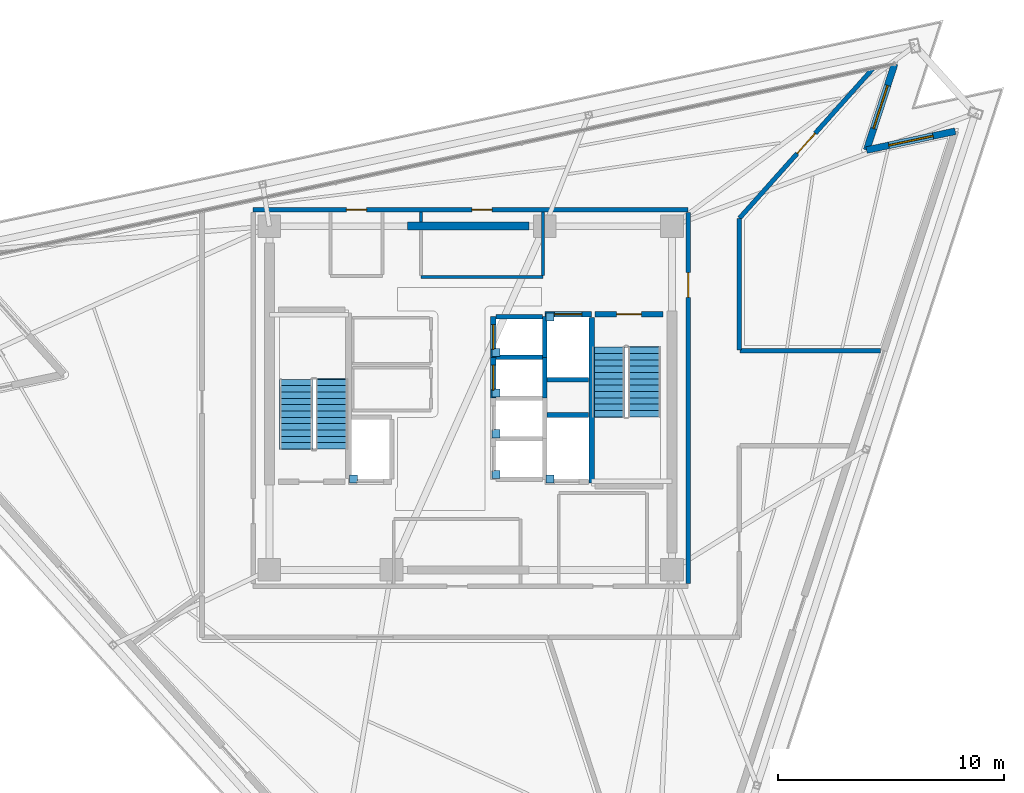
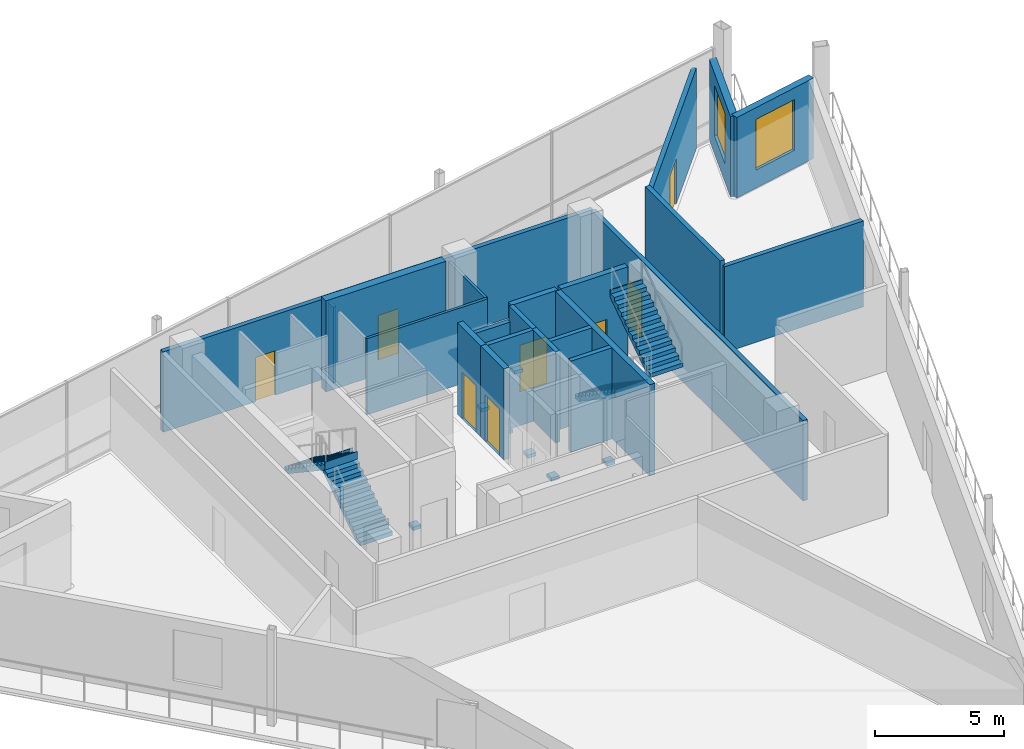
# One storey, part 8 of 11: 22 walls, 8 doors, 7 discrete accessories, 4 stair flights, 2 windows, 10 openings, 2 elements without a shape of their own.
"""IFC4 building model written with IfcOpenShell, lengths in metres."""

from ifc_helpers import new_model, si_unit, direction, frame, frame_2d, origin, origin_2d, place, context, subcontext, project, spatial, polyline, rectangle, outline, extrude, material, layer, layer_set, type_object, element, fill, aggregate, save


model = new_model("IFC4")

# Units and contexts
model_context = context("Model", 3, precision=1e-05, world=origin(), true_north=direction((0.0, 1.0)))
body_context = subcontext(model_context, "Body", "Model", "MODEL_VIEW")
ifc_project = project(units=[si_unit("LENGTHUNIT", "METRE"), si_unit("AREAUNIT", "SQUARE_METRE"), si_unit("VOLUMEUNIT", "CUBIC_METRE"), si_unit("PLANEANGLEUNIT", "RADIAN"), si_unit("MASSUNIT", "GRAM", prefix="KILO")], contexts=[model_context])

# Site, building, storey
site_placement = place(None, origin())
site = spatial("IfcSite", under=ifc_project, at=site_placement, CompositionType="ELEMENT")
building_placement = place(site_placement, origin())
building = spatial("IfcBuilding", under=site, at=building_placement, Name="Tharavind Bronze Gate", CompositionType="ELEMENT")
storey_placement = place(building_placement, frame((0.0, 0.0, 306.300048828125)))
storey = spatial("IfcBuildingStorey", under=building, at=storey_placement, Name="L79", CompositionType="ELEMENT", Elevation=306.300048828125)

# Wall, opening, window
ifc_material_1 = material(Name="Concrete C40/50", Category="concrete")
ifc_layer_1 = layer(ifc_material_1, 0.300048828125)
ifc_layer_set_1 = layer_set([ifc_layer_1], Name="Concrete C40/50")
wall_type_1 = type_object("IfcWallType", Name="EXTERIOR SPANDREL WALL 300", PredefinedType="STANDARD", material=ifc_layer_set_1)
wall_1_placement = place(storey_placement, frame((21.427490234375, 11.796630859375, 0.0), z_axis=(0.0, 0.0, 1.0), x_axis=(-0.97815049033, -0.207898095871, 0.0)))
wall_1 = element("IfcWall", 1, at=wall_1_placement, inside=storey, type_object=wall_type_1, Name="L79 notch cheek wall 3A", PredefinedType="STANDARD", context=body_context, shape_type="SweptSolid", body=[
    extrude(rectangle(XDim=4.008056640625, YDim=0.300048828125, at=frame_2d((2.00390625, 0.0))), origin(), (0.0, 0.0, 1.0), 3.804931640625),
])
opening_1_placement = place(wall_1_placement, frame((1.00390625, 0.0, 0.85009765625)))
opening_1 = element("IfcOpeningElement", 2, at=opening_1_placement, cuts=wall_1, Name="Opening W06", PredefinedType="OPENING", context=body_context, shape_type="SweptSolid", body=[
    extrude(rectangle(XDim=2.0, YDim=2.39990234375, at=frame_2d((1.0, 1.199951171875))), frame((0.0, 0.15990234375, 0.0), z_axis=(0.0, -1.0, 0.0), x_axis=(1.0, 0.0, 0.0)), (0.0, 0.0, 1.0), 0.320048828125),
])
ifc_material_2 = material(Name="Bronze Aluminium & Low-E Glass", Category="aluminium")
window_type = type_object("IfcWindowType", Name="CROWN OBSERVATORY WINDOW 2000X2400", PartitioningType="DOUBLE_PANEL_VERTICAL", PredefinedType="WINDOW", material=ifc_material_2)
window_1_placement = place(opening_1_placement, origin())
window_1 = element("IfcWindow", 3, at=window_1_placement, inside=storey, type_object=window_type, Name="L79 exterior window WL-L79-NCA3-01", OverallHeight=2.39990234375, OverallWidth=2.0, PartitioningType="SINGLE_PANEL", PredefinedType="WINDOW", context=body_context, shape_type="SweptSolid", body=[
    extrude(rectangle(XDim=2.0, YDim=2.39990234375, at=frame_2d((1.0, 1.199951171875))), frame((0.0, 0.030029296875, 0.0), z_axis=(0.0, -1.0, 0.0), x_axis=(1.0, 0.0, 0.0)), (0.0, 0.0, 1.0), 0.06005859375),
])
fill(opening_1, window_1)

wall_2_placement = place(storey_placement, frame((17.507080078125, 10.96337890625, 0.0), z_axis=(0.0, 0.0, 1.0), x_axis=(0.309018580232, 0.951056001018, 0.0)))
wall_2 = element("IfcWall", 4, at=wall_2_placement, inside=storey, type_object=wall_type_1, Name="L79 notch cheek wall 3B", PredefinedType="STANDARD", context=body_context, shape_type="SweptSolid", body=[
    extrude(rectangle(XDim=4.0078125, YDim=0.300048828125, at=frame_2d((2.00390625, 0.0))), origin(), (0.0, 0.0, 1.0), 3.804931640625),
])
opening_2_placement = place(wall_2_placement, frame((1.00390625, 0.0, 0.85009765625)))
opening_2 = element("IfcOpeningElement", 5, at=opening_2_placement, cuts=wall_2, Name="Opening W06", PredefinedType="OPENING", context=body_context, shape_type="SweptSolid", body=[
    extrude(rectangle(XDim=2.0, YDim=2.39990234375, at=frame_2d((1.0, 1.199951171875))), frame((0.0, 0.15990234375, 0.0), z_axis=(0.0, -1.0, 0.0), x_axis=(1.0, 0.0, 0.0)), (0.0, 0.0, 1.0), 0.320048828125),
])
window_2_placement = place(opening_2_placement, origin())
window_2 = element("IfcWindow", 6, at=window_2_placement, inside=storey, type_object=window_type, Name="L79 exterior window WL-L79-NCB3-01", OverallHeight=2.39990234375, OverallWidth=2.0, PartitioningType="SINGLE_PANEL", PredefinedType="WINDOW", context=body_context, shape_type="SweptSolid", body=[
    extrude(rectangle(XDim=2.0, YDim=2.39990234375, at=frame_2d((1.0, 1.199951171875))), frame((0.0, 0.030029296875, 0.0), z_axis=(0.0, -1.0, 0.0), x_axis=(1.0, 0.0, 0.0)), (0.0, 0.0, 1.0), 0.06005859375),
])
fill(opening_2, window_2)

# Wall, openings, doors
ifc_material_3 = material(Name="Aerated Concrete Block", Category="concrete")
ifc_layer_2 = layer(ifc_material_3, 0.199951171875)
ifc_layer_set_2 = layer_set([ifc_layer_2], Name="Aerated Concrete Block")
wall_type_2 = type_object("IfcWallType", Name="FIRE RATED PARTITION 200", PredefinedType="PARTITIONING", material=ifc_layer_set_2)
wall_3_placement = place(storey_placement, frame((9.6201171875, 8.320068359375, 0.0), z_axis=(0.0, 0.0, 1.0), x_axis=(-1.0, 0.0, 0.0)))
wall_3 = element("IfcWall", 7, at=wall_3_placement, inside=storey, type_object=wall_type_2, Name="L79 north core corridor wall", PredefinedType="PARTITIONING", context=body_context, shape_type="SweptSolid", body=[
    extrude(rectangle(XDim=19.240234375, YDim=0.199951171875, at=frame_2d((9.6201171875, 0.0))), origin(), (0.0, 0.0, 1.0), 3.804931640625),
])
opening_3_placement = place(wall_3_placement, frame((8.669921875, 0.0, 0.0)))
opening_3 = element("IfcOpeningElement", 8, at=opening_3_placement, cuts=wall_3, Name="Opening ID07", PredefinedType="OPENING", context=body_context, shape_type="SweptSolid", body=[
    extrude(rectangle(XDim=0.89990234375, YDim=2.10009765625, at=frame_2d((0.449951171875, 1.050048828125))), frame((0.0, 0.11009765625, 0.0), z_axis=(0.0, -1.0, 0.0), x_axis=(1.0, 0.0, 0.0)), (0.0, 0.0, 1.0), 0.219951171875),
])
opening_4_placement = place(wall_3_placement, frame((14.219970703125, 0.0, 0.0)))
opening_4 = element("IfcOpeningElement", 9, at=opening_4_placement, cuts=wall_3, Name="Opening ID07", PredefinedType="OPENING", context=body_context, shape_type="SweptSolid", body=[
    extrude(rectangle(XDim=0.89990234375, YDim=2.10009765625, at=frame_2d((0.449951171875, 1.050048828125))), frame((0.0, 0.11009765625, 0.0), z_axis=(0.0, -1.0, 0.0), x_axis=(1.0, 0.0, 0.0)), (0.0, 0.0, 1.0), 0.219951171875),
])
ifc_material_4 = material(Name="Galvanised Fire Steel", Category="steel")
door_type_1 = type_object("IfcDoorType", Name="PLANT AND RISER FIRE DOOR 900X2100", OperationType="SINGLE_SWING_LEFT", PredefinedType="DOOR", material=ifc_material_4)
door_1_placement = place(opening_3_placement, origin())
door_1 = element("IfcDoor", 10, at=door_1_placement, inside=storey, type_object=door_type_1, Name="L79 Core Avionics Room fire door", OperationType="SINGLE_SWING_LEFT", OverallHeight=2.10009765625, OverallWidth=0.89990234375, PredefinedType="DOOR", context=body_context, shape_type="SweptSolid", body=[
    extrude(rectangle(XDim=0.89990234375, YDim=2.10009765625, at=frame_2d((0.449951171875, 1.050048828125))), frame((0.0, 0.02490234375, 0.0), z_axis=(0.0, -1.0, 0.0), x_axis=(1.0, 0.0, 0.0)), (0.0, 0.0, 1.0), 0.050048828125),
])
fill(opening_3, door_1)
door_2_placement = place(opening_4_placement, origin())
door_2 = element("IfcDoor", 11, at=door_2_placement, inside=storey, type_object=door_type_1, Name="L79 Electrical Switch Cupboard fire door", OperationType="SINGLE_SWING_LEFT", OverallHeight=2.10009765625, OverallWidth=0.89990234375, PredefinedType="DOOR", context=body_context, shape_type="SweptSolid", body=[
    extrude(rectangle(XDim=0.89990234375, YDim=2.10009765625, at=frame_2d((0.449951171875, 1.050048828125))), frame((0.0, 0.02490234375, 0.0), z_axis=(0.0, -1.0, 0.0), x_axis=(1.0, 0.0, 0.0)), (0.0, 0.0, 1.0), 0.050048828125),
])
fill(opening_4, door_2)

# Wall, opening, door
wall_4_placement = place(storey_placement, frame((9.6201171875, -8.199951171875, 0.0), z_axis=(0.0, 0.0, 1.0), x_axis=(0.0, 1.0, 0.0)))
wall_4 = element("IfcWall", 12, at=wall_4_placement, inside=storey, type_object=wall_type_2, Name="L79 east core corridor wall", PredefinedType="PARTITIONING", context=body_context, shape_type="SweptSolid", body=[
    extrude(rectangle(XDim=16.39990234375, YDim=0.199951171875, at=frame_2d((8.199951171875, 0.0))), origin(), (0.0, 0.0, 1.0), 3.804931640625),
])
opening_5_placement = place(wall_4_placement, frame((12.64990234375, 0.0, 0.0)))
opening_5 = element("IfcOpeningElement", 13, at=opening_5_placement, cuts=wall_4, Name="Opening ID01", PredefinedType="OPENING", context=body_context, shape_type="SweptSolid", body=[
    extrude(rectangle(XDim=1.10009765625, YDim=2.14990234375, at=frame_2d((0.550048828125, 1.074951171875))), frame((0.0, 0.11009765625, 0.0), z_axis=(0.0, -1.0, 0.0), x_axis=(1.0, 0.0, 0.0)), (0.0, 0.0, 1.0), 0.219951171875),
])
ifc_material_5 = material(Name="Fire-Rated Steel", Category="steel")
door_type_2 = type_object("IfcDoorType", Name="STAIR CORE FIRE DOOR 1100X2150", OperationType="SINGLE_SWING_LEFT", PredefinedType="DOOR", material=ifc_material_5)
door_3_placement = place(opening_5_placement, frame((1.10009765625, 0.0, 0.0), z_axis=(0.0, 0.0, 1.0), x_axis=(-1.0, 0.0, 0.0)))
door_3 = element("IfcDoor", 14, at=door_3_placement, inside=storey, type_object=door_type_2, Name="L79 north east stair lobby fire door", OperationType="SINGLE_SWING_LEFT", OverallHeight=2.14990234375, OverallWidth=1.10009765625, PredefinedType="DOOR", context=body_context, shape_type="SweptSolid", body=[
    extrude(rectangle(XDim=1.10009765625, YDim=2.14990234375, at=frame_2d((0.550048828125, 1.074951171875))), frame((0.0, 0.02490234375, 0.0), z_axis=(0.0, -1.0, 0.0), x_axis=(1.0, 0.0, 0.0)), (0.0, 0.0, 1.0), 0.050048828125),
])
fill(opening_5, door_3)

# Walls
wall_5_placement = place(storey_placement, frame((18.11376953125, 2.10009765625, 0.0), z_axis=(0.0, 0.0, 1.0), x_axis=(-1.0, 0.0, 0.0)))
element("IfcWall", 15, at=wall_5_placement, inside=storey, type_object=wall_type_2, Name="L79 Indoor Panoramas Observatory partition", PredefinedType="PARTITIONING", context=body_context, shape_type="SweptSolid", body=[
    extrude(rectangle(XDim=6.208740234375, YDim=0.199951171875, at=frame_2d((3.1044921875, 0.0))), origin(), (0.0, 0.0, 1.0), 4.06494140625),
])
wall_6_placement = place(storey_placement, frame((11.8798828125, 2.125, 0.0), z_axis=(0.0, 0.0, 1.0), x_axis=(0.0, 1.0, 0.0)))
element("IfcWall", 16, at=wall_6_placement, inside=storey, type_object=wall_type_2, Name="L79 Indoor Panoramas Observatory partition", PredefinedType="PARTITIONING", context=body_context, shape_type="SweptSolid", body=[
    extrude(rectangle(XDim=5.811279296875, YDim=0.199951171875, at=frame_2d((2.90576171875, 0.0))), origin(), (0.0, 0.0, 1.0), 4.31005859375),
])

# Wall, opening, door
wall_7_placement = place(storey_placement, frame((11.88623046875, 7.952880859375, 0.0), z_axis=(0.0, 0.0, 1.0), x_axis=(0.66569355976, 0.746225223706, 0.0)))
wall_7 = element("IfcWall", 17, at=wall_7_placement, inside=storey, type_object=wall_type_2, Name="L79 Indoor Panoramas Observatory partition", PredefinedType="PARTITIONING", context=body_context, shape_type="SweptSolid", body=[
    extrude(rectangle(XDim=8.87060546875, YDim=0.199951171875, at=frame_2d((4.435302734375, 0.0))), origin(), (0.0, 0.0, 1.0), 3.804931640625),
])
opening_6_placement = place(wall_7_placement, frame((3.8349609375, 0.0, 0.0)))
opening_6 = element("IfcOpeningElement", 18, at=opening_6_placement, cuts=wall_7, Name="Opening ID05", PredefinedType="OPENING", context=body_context, shape_type="SweptSolid", body=[
    extrude(rectangle(XDim=1.199951171875, YDim=2.14990234375, at=frame_2d((0.60009765625, 1.074951171875))), frame((0.0, 0.11009765625, 0.0), z_axis=(0.0, -1.0, 0.0), x_axis=(1.0, 0.0, 0.0)), (0.0, 0.0, 1.0), 0.219951171875),
])
ifc_material_6 = material(Name="Acoustic Laminated Glass", Category="glass")
door_type_3 = type_object("IfcDoorType", Name="MEETING ROOM GLAZED DOOR 1200X2150", OperationType="SINGLE_SWING_LEFT", PredefinedType="DOOR", material=ifc_material_6)
door_4_placement = place(opening_6_placement, origin())
door_4 = element("IfcDoor", 19, at=door_4_placement, inside=storey, type_object=door_type_3, Name="L79 Indoor Panoramas Observatory door", OperationType="SINGLE_SWING_LEFT", OverallHeight=2.14990234375, OverallWidth=1.199951171875, PredefinedType="DOOR", context=body_context, shape_type="SweptSolid", body=[
    extrude(rectangle(XDim=1.199951171875, YDim=2.14990234375, at=frame_2d((0.60009765625, 1.074951171875))), frame((0.0, 0.02490234375, 0.0), z_axis=(0.0, -1.0, 0.0), x_axis=(1.0, 0.0, 0.0)), (0.0, 0.0, 1.0), 0.050048828125),
])
fill(opening_6, door_4)

# Walls
ifc_material_7 = material(Name="Metal Stud Gypsum Partition", Category="gypsum")
ifc_layer_3 = layer(ifc_material_7, 0.1201171875)
ifc_layer_set_3 = layer_set([ifc_layer_3], Name="Metal Stud Gypsum Partition")
wall_type_3 = type_object("IfcWallType", Name="INTERIOR PARTITION WALL 120", PredefinedType="PARTITIONING", material=ifc_layer_set_3)
wall_8_placement = place(storey_placement, frame((-2.199951171875, 5.35009765625, 0.0), z_axis=(0.0, 0.0, 1.0), x_axis=(1.0, 0.0, 0.0)))
element("IfcWall", 20, at=wall_8_placement, inside=storey, type_object=wall_type_3, Name="L79 Core Avionics Room partition 1", PredefinedType="PARTITIONING", context=body_context, shape_type="SweptSolid", body=[
    extrude(rectangle(XDim=5.39990234375, YDim=0.1201171875, at=frame_2d((2.699951171875, 0.0))), origin(), (0.0, 0.0, 1.0), 3.60498046875),
])
wall_9_placement = place(storey_placement, frame((3.199951171875, 5.4150390625, 0.0), z_axis=(0.0, 0.0, 1.0), x_axis=(0.0, 1.0, 0.0)))
element("IfcWall", 21, at=wall_9_placement, inside=storey, type_object=wall_type_3, Name="L79 Core Avionics Room partition 2", PredefinedType="PARTITIONING", context=body_context, shape_type="SweptSolid", body=[
    extrude(rectangle(XDim=2.800048828125, YDim=0.1201171875, at=frame_2d((1.39990234375, 0.0))), origin(), (0.0, 0.0, 1.0), 3.60498046875),
])
wall_10_placement = place(storey_placement, frame((-2.199951171875, 8.215087890625, 0.0), z_axis=(0.0, 0.0, 1.0), x_axis=(0.0, -1.0, 0.0)))
element("IfcWall", 22, at=wall_10_placement, inside=storey, type_object=wall_type_3, Name="L79 Core Avionics Room partition 4", PredefinedType="PARTITIONING", context=body_context, shape_type="SweptSolid", body=[
    extrude(rectangle(XDim=0.43505859375, YDim=0.1201171875, at=frame_2d((0.217529296875, 0.0))), origin(), (0.0, 0.0, 1.0), 3.60498046875),
])
ifc_material_8 = material(Name="Concrete C50/60", Category="concrete")
ifc_layer_4 = layer(ifc_material_8, 0.25)
ifc_layer_set_4 = layer_set([ifc_layer_4], Name="Concrete C50/60")
wall_type_4 = type_object("IfcWallType", Name="RC CORE SHEAR WALL 250", PredefinedType="SHEAR", material=ifc_layer_set_4)
wall_11_placement = place(storey_placement, frame((5.35009765625, -3.75, 0.0), z_axis=(0.0, 0.0, 1.0), x_axis=(0.0, 1.0, 0.0)))
element("IfcWall", 23, at=wall_11_placement, inside=storey, type_object=wall_type_4, Name="L79 ST2 shaft west wall", PredefinedType="SHEAR", context=body_context, shape_type="SweptSolid", body=[
    extrude(rectangle(XDim=7.300048828125, YDim=0.25, at=frame_2d((3.64990234375, 0.0))), origin(), (0.0, 0.0, 1.0), 4.31005859375),
])

# Wall, opening, door
wall_12_placement = place(storey_placement, frame((5.5, 3.699951171875, 0.0), z_axis=(0.0, 0.0, 1.0), x_axis=(1.0, 0.0, 0.0)))
wall_12 = element("IfcWall", 24, at=wall_12_placement, inside=storey, type_object=wall_type_4, Name="L79 ST2 shaft north wall", PredefinedType="SHEAR", context=body_context, shape_type="SweptSolid", body=[
    extrude(rectangle(XDim=3.0, YDim=0.25, at=frame_2d((1.5, 0.0))), origin(), (0.0, 0.0, 1.0), 4.31005859375),
])
opening_7_placement = place(wall_12_placement, frame((0.949951171875, 0.0, 0.0)))
opening_7 = element("IfcOpeningElement", 25, at=opening_7_placement, cuts=wall_12, Name="Opening ID01", PredefinedType="OPENING", context=body_context, shape_type="SweptSolid", body=[
    extrude(rectangle(XDim=1.10009765625, YDim=2.14990234375, at=frame_2d((0.550048828125, 1.074951171875))), frame((0.0, 0.135, 0.0), z_axis=(0.0, -1.0, 0.0), x_axis=(1.0, 0.0, 0.0)), (0.0, 0.0, 1.0), 0.27),
])
door_5_placement = place(opening_7_placement, frame((1.10009765625, 0.0, 0.0), z_axis=(0.0, 0.0, 1.0), x_axis=(-1.0, 0.0, 0.0)))
door_5 = element("IfcDoor", 26, at=door_5_placement, inside=storey, type_object=door_type_2, Name="L79 exit stair ST2 fire door", OperationType="SINGLE_SWING_LEFT", OverallHeight=2.14990234375, OverallWidth=1.10009765625, PredefinedType="DOOR", context=body_context, shape_type="SweptSolid", body=[
    extrude(rectangle(XDim=1.10009765625, YDim=2.14990234375, at=frame_2d((0.550048828125, 1.074951171875))), frame((0.0, 0.02490234375, 0.0), z_axis=(0.0, -1.0, 0.0), x_axis=(1.0, 0.0, 0.0)), (0.0, 0.0, 1.0), 0.050048828125),
])
fill(opening_7, door_5)

wall_13_placement = place(storey_placement, frame((1.0, 0.0, 0.0), z_axis=(0.0, 0.0, 1.0), x_axis=(0.0, 1.0, 0.0)))
wall_13 = element("IfcWall", 27, at=wall_13_placement, inside=storey, type_object=wall_type_4, Name="L79 lift PL11 shaft front wall", PredefinedType="SHEAR", context=body_context, shape_type="SweptSolid", body=[
    extrude(rectangle(XDim=1.800048828125, YDim=0.25, at=frame_2d((0.89990234375, 0.0))), origin(), (0.0, 0.0, 1.0), 4.31005859375),
])
opening_8_placement = place(wall_13_placement, frame((0.35009765625, 0.0, 0.0)))
opening_8 = element("IfcOpeningElement", 28, at=opening_8_placement, cuts=wall_13, Name="Opening LD01", PredefinedType="OPENING", context=body_context, shape_type="SweptSolid", body=[
    extrude(rectangle(XDim=1.10009765625, YDim=2.199951171875, at=frame_2d((0.550048828125, 1.10009765625))), frame((0.0, 0.135, 0.0), z_axis=(0.0, -1.0, 0.0), x_axis=(1.0, 0.0, 0.0)), (0.0, 0.0, 1.0), 0.27),
])
ifc_material_9 = material(Name="Brushed Bronze Stainless Steel", Category="steel")
door_type_4 = type_object("IfcDoorType", Name="LIFT LANDING SLIDING DOOR 1100X2200", OperationType="SLIDING_TO_LEFT", PredefinedType="DOOR", material=ifc_material_9)
door_6_placement = place(opening_8_placement, origin())
door_6 = element("IfcDoor", 29, at=door_6_placement, inside=storey, type_object=door_type_4, Name="L79 lift PL11 sliding landing door", OperationType="SLIDING_TO_LEFT", OverallHeight=2.199951171875, OverallWidth=1.10009765625, PredefinedType="DOOR", context=body_context, shape_type="SweptSolid", body=[
    extrude(rectangle(XDim=1.10009765625, YDim=2.199951171875, at=frame_2d((0.550048828125, 1.10009765625))), frame((0.0, 0.02490234375, 0.0), z_axis=(0.0, -1.0, 0.0), x_axis=(1.0, 0.0, 0.0)), (0.0, 0.0, 1.0), 0.050048828125),
])
fill(opening_8, door_6)

wall_14_placement = place(storey_placement, frame((1.0, 1.800048828125, 0.0), z_axis=(0.0, 0.0, 1.0), x_axis=(0.0, 1.0, 0.0)))
wall_14 = element("IfcWall", 30, at=wall_14_placement, inside=storey, type_object=wall_type_4, Name="L79 lift PL12 shaft front wall", PredefinedType="SHEAR", context=body_context, shape_type="SweptSolid", body=[
    extrude(rectangle(XDim=1.800048828125, YDim=0.25, at=frame_2d((0.89990234375, 0.0))), origin(), (0.0, 0.0, 1.0), 4.31005859375),
])
opening_9_placement = place(wall_14_placement, frame((0.35009765625, 0.0, 0.0)))
opening_9 = element("IfcOpeningElement", 31, at=opening_9_placement, cuts=wall_14, Name="Opening LD01", PredefinedType="OPENING", context=body_context, shape_type="SweptSolid", body=[
    extrude(rectangle(XDim=1.10009765625, YDim=2.199951171875, at=frame_2d((0.550048828125, 1.10009765625))), frame((0.0, 0.135, 0.0), z_axis=(0.0, -1.0, 0.0), x_axis=(1.0, 0.0, 0.0)), (0.0, 0.0, 1.0), 0.27),
])
door_7_placement = place(opening_9_placement, origin())
door_7 = element("IfcDoor", 32, at=door_7_placement, inside=storey, type_object=door_type_4, Name="L79 lift PL12 sliding landing door", OperationType="SLIDING_TO_LEFT", OverallHeight=2.199951171875, OverallWidth=1.10009765625, PredefinedType="DOOR", context=body_context, shape_type="SweptSolid", body=[
    extrude(rectangle(XDim=1.10009765625, YDim=2.199951171875, at=frame_2d((0.550048828125, 1.10009765625))), frame((0.0, 0.02490234375, 0.0), z_axis=(0.0, -1.0, 0.0), x_axis=(1.0, 0.0, 0.0)), (0.0, 0.0, 1.0), 0.050048828125),
])
fill(opening_9, door_7)

wall_15_placement = place(storey_placement, frame((3.280029296875, 3.699951171875, 0.0), z_axis=(0.0, 0.0, 1.0), x_axis=(1.0, 0.0, 0.0)))
wall_15 = element("IfcWall", 33, at=wall_15_placement, inside=storey, type_object=wall_type_4, Name="L79 lift FFL2 shaft front wall", PredefinedType="SHEAR", context=body_context, shape_type="SweptSolid", body=[
    extrude(rectangle(XDim=2.070068359375, YDim=0.25, at=frame_2d((1.03515625, 0.0))), origin(), (0.0, 0.0, 1.0), 4.31005859375),
])
opening_10_placement = place(wall_15_placement, frame((0.43505859375, 0.0, 0.0)))
opening_10 = element("IfcOpeningElement", 34, at=opening_10_placement, cuts=wall_15, Name="Opening LD02", PredefinedType="OPENING", context=body_context, shape_type="SweptSolid", body=[
    extrude(rectangle(XDim=1.199951171875, YDim=2.199951171875, at=frame_2d((0.60009765625, 1.10009765625))), frame((0.0, 0.135, 0.0), z_axis=(0.0, -1.0, 0.0), x_axis=(1.0, 0.0, 0.0)), (0.0, 0.0, 1.0), 0.27),
])
ifc_material_10 = material(Name="Brushed Stainless Steel", Category="steel")
door_type_5 = type_object("IfcDoorType", Name="FIREFIGHTING LIFT LANDING DOOR 1200X2200", OperationType="SLIDING_TO_RIGHT", PredefinedType="DOOR", material=ifc_material_10)
door_8_placement = place(opening_10_placement, origin())
door_8 = element("IfcDoor", 35, at=door_8_placement, inside=storey, type_object=door_type_5, Name="L79 lift FFL2 sliding landing door", OperationType="SLIDING_TO_RIGHT", OverallHeight=2.199951171875, OverallWidth=1.199951171875, PredefinedType="DOOR", context=body_context, shape_type="SweptSolid", body=[
    extrude(rectangle(XDim=1.199951171875, YDim=2.199951171875, at=frame_2d((0.60009765625, 1.10009765625))), frame((0.0, 0.02490234375, 0.0), z_axis=(0.0, -1.0, 0.0), x_axis=(1.0, 0.0, 0.0)), (0.0, 0.0, 1.0), 0.050048828125),
])
fill(opening_10, door_8)

# Walls
ifc_layer_5 = layer(ifc_material_8, 0.35009765625)
ifc_layer_set_5 = layer_set([ifc_layer_5], Name="Concrete C50/60")
wall_type_5 = type_object("IfcWallType", Name="RC CORE SHEAR WALL 350", PredefinedType="SHEAR", material=ifc_layer_set_5)
wall_16_placement = place(storey_placement, frame((-2.800048828125, 7.60009765625, 0.0), z_axis=(0.0, 0.0, 1.0), x_axis=(1.0, 0.0, 0.0)))
element("IfcWall", 36, at=wall_16_placement, inside=storey, type_object=wall_type_5, Name="L79 north core shear wall", PredefinedType="SHEAR", context=body_context, shape_type="SweptSolid", body=[
    extrude(rectangle(XDim=5.380126953125, YDim=0.35009765625, at=frame_2d((2.68994140625, 0.0))), origin(), (0.0, 0.0, 1.0), 4.31005859375),
])
ifc_layer_6 = layer(ifc_material_1, 0.199951171875)
ifc_layer_set_6 = layer_set([ifc_layer_6], Name="Concrete C40/50")
wall_type_6 = type_object("IfcWallType", Name="SHAFT ENCLOSURE WALL 200", PredefinedType="PARTITIONING", material=ifc_layer_set_6)
wall_17_placement = place(storey_placement, frame((3.280029296875, 0.0, 0.0), z_axis=(0.0, 0.0, 1.0), x_axis=(0.0, 1.0, 0.0)))
element("IfcWall", 37, at=wall_17_placement, inside=storey, type_object=wall_type_6, Name="L79 lift PL11 shaft E enclosure wall", PredefinedType="PARTITIONING", context=body_context, shape_type="SweptSolid", body=[
    extrude(rectangle(XDim=1.800048828125, YDim=0.199951171875, at=frame_2d((0.89990234375, 0.0))), origin(), (0.0, 0.0, 1.0), 4.31005859375),
])
wall_18_placement = place(storey_placement, frame((1.1298828125, 1.800048828125, 0.0), z_axis=(0.0, 0.0, 1.0), x_axis=(1.0, 0.0, 0.0)))
element("IfcWall", 38, at=wall_18_placement, inside=storey, type_object=wall_type_6, Name="L79 lift PL11 shaft N enclosure wall", PredefinedType="PARTITIONING", context=body_context, shape_type="SweptSolid", body=[
    extrude(rectangle(XDim=2.045166015625, YDim=0.199951171875, at=frame_2d((1.0224609375, 0.0))), origin(), (0.0, 0.0, 1.0), 4.31005859375),
])
wall_19_placement = place(storey_placement, frame((3.280029296875, 1.800048828125, 0.0), z_axis=(0.0, 0.0, 1.0), x_axis=(0.0, 1.0, 0.0)))
element("IfcWall", 39, at=wall_19_placement, inside=storey, type_object=wall_type_6, Name="L79 lift PL12 shaft E enclosure wall", PredefinedType="PARTITIONING", context=body_context, shape_type="SweptSolid", body=[
    extrude(rectangle(XDim=1.800048828125, YDim=0.199951171875, at=frame_2d((0.89990234375, 0.0))), origin(), (0.0, 0.0, 1.0), 4.31005859375),
])
wall_20_placement = place(storey_placement, frame((1.1298828125, 3.60009765625, 0.0), z_axis=(0.0, 0.0, 1.0), x_axis=(1.0, 0.0, 0.0)))
element("IfcWall", 40, at=wall_20_placement, inside=storey, type_object=wall_type_6, Name="L79 lift PL12 shaft N enclosure wall", PredefinedType="PARTITIONING", context=body_context, shape_type="SweptSolid", body=[
    extrude(rectangle(XDim=2.045166015625, YDim=0.199951171875, at=frame_2d((1.0224609375, 0.0))), origin(), (0.0, 0.0, 1.0), 3.60498046875),
])
for number, where, z_axis, x_axis, name in (
    (41, (3.385009765625, 0.800048828125, 0.0), (0.0, 0.0, 1.0), (1.0, 0.0, 0.0), "L79 lift FFL2 shaft S enclosure wall"),
    (42, (3.385009765625, -0.75, 0.0), (0.0, 0.0, 1.0), (1.0, 0.0, 0.0), "L79 lift SVL1 shaft N enclosure wall"),
):
    element("IfcWall", number, at=place(storey_placement, frame(where, z_axis=z_axis, x_axis=x_axis)), inside=storey, type_object=wall_type_6, Name=name, PredefinedType="PARTITIONING", context=body_context, shape_type="SweptSolid", body=[
        extrude(rectangle(XDim=1.8349609375, YDim=0.199951171875, at=frame_2d((0.91748046875, 0.0))), origin(), (0.0, 0.0, 1.0), 4.31005859375),
    ])

# Stair, stair flights
stair_type = type_object("IfcStairType", Name="CORE HALF TURN STAIR 1450", PredefinedType="HALF_TURN_STAIR", material=ifc_material_1)
stair_1_placement = place(storey_placement, origin())
stair_1 = element("IfcStair", 43, at=stair_1_placement, inside=storey, type_object=stair_type, Name="L79 Protected Exit Stair ST1", PredefinedType="HALF_TURN_STAIR")
stair_flight_type = type_object("IfcStairFlightType", Name="CORE STAIR FLIGHT 1450", PredefinedType="STRAIGHT", material=ifc_material_1)
stair_flight_1_placement = place(storey_placement, frame((-6.125, -2.25, 0.0), z_axis=(0.0, 0.0, 1.0), x_axis=(0.0, 1.0, 0.0)))
stair_flight_1 = element("IfcStairFlight", 44, at=stair_flight_1_placement, type_object=stair_flight_type, Name="ST1 flight 1", NumberOfRisers=12, NumberOfTreads=11, PredefinedType="STRAIGHT", RiserHeight=0.189583333, TreadLength=0.28, context=body_context, shape_type="SweptSolid", body=[
    extrude(outline(polyline([(0.0, 0.0), (0.0, 0.189697265625), (0.280029296875, 0.189697265625), (0.280029296875, 0.379150390625), (0.56005859375, 0.379150390625), (0.56005859375, 0.56884765625), (0.840087890625, 0.56884765625), (0.840087890625, 0.75830078125), (1.1201171875, 0.75830078125), (1.1201171875, 0.947998046875), (1.39990234375, 0.947998046875), (1.39990234375, 1.137451171875), (1.679931640625, 1.137451171875), (1.679931640625, 1.3271484375), (1.9599609375, 1.3271484375), (1.9599609375, 1.5166015625), (2.239990234375, 1.5166015625), (2.239990234375, 1.706298828125), (2.52001953125, 1.706298828125), (2.52001953125, 1.895751953125), (2.800048828125, 1.895751953125), (2.800048828125, 2.08544921875), (3.080078125, 2.08544921875), (3.080078125, 2.27490234375), (3.115966796875, 2.27490234375), (3.115966796875, 1.904296875), (0.267333984375, 0.0), (0.0, 0.0)])), frame((0.0, 0.72509765625, 0.0), z_axis=(0.0, -1.0, 0.0), x_axis=(1.0, 0.0, 0.0)), (0.0, 0.0, 1.0), 1.449951171875),
])
stair_flight_2_placement = place(storey_placement, frame((-7.72509765625, 0.830078125, 2.27490234375), z_axis=(0.0, 0.0, 1.0), x_axis=(0.0, -1.0, 0.0)))
stair_flight_2 = element("IfcStairFlight", 45, at=stair_flight_2_placement, type_object=stair_flight_type, Name="ST1 flight 2", NumberOfRisers=12, NumberOfTreads=11, PredefinedType="STRAIGHT", RiserHeight=0.189583333, TreadLength=0.28, context=body_context, shape_type="SweptSolid", body=[
    extrude(outline(polyline([(0.0, 0.0), (0.0, 0.189697265625), (0.280029296875, 0.189697265625), (0.280029296875, 0.379150390625), (0.56005859375, 0.379150390625), (0.56005859375, 0.56884765625), (0.840087890625, 0.56884765625), (0.840087890625, 0.75830078125), (1.1201171875, 0.75830078125), (1.1201171875, 0.947998046875), (1.39990234375, 0.947998046875), (1.39990234375, 1.137451171875), (1.679931640625, 1.137451171875), (1.679931640625, 1.3271484375), (1.9599609375, 1.3271484375), (1.9599609375, 1.5166015625), (2.239990234375, 1.5166015625), (2.239990234375, 1.706298828125), (2.52001953125, 1.706298828125), (2.52001953125, 1.895751953125), (2.800048828125, 1.895751953125), (2.800048828125, 2.08544921875), (3.080078125, 2.08544921875), (3.080078125, 2.27490234375), (3.115966796875, 2.27490234375), (3.115966796875, 1.904296875), (0.267333984375, 0.0), (0.0, 0.0)])), frame((0.0, 0.72509765625, 0.0), z_axis=(0.0, -1.0, 0.0), x_axis=(1.0, 0.0, 0.0)), (0.0, 0.0, 1.0), 1.449951171875),
])
aggregate(stair_1, [stair_flight_1, stair_flight_2])

stair_2_placement = place(storey_placement, origin())
stair_2 = element("IfcStair", 46, at=stair_2_placement, inside=storey, type_object=stair_type, Name="L79 Protected Exit Stair ST2", PredefinedType="HALF_TURN_STAIR")
stair_flight_3_placement = place(storey_placement, frame((6.074951171875, 2.25, 0.0), z_axis=(0.0, 0.0, 1.0), x_axis=(0.0, -1.0, 0.0)))
stair_flight_3 = element("IfcStairFlight", 47, at=stair_flight_3_placement, type_object=stair_flight_type, Name="ST2 flight 1", NumberOfRisers=12, NumberOfTreads=11, PredefinedType="STRAIGHT", RiserHeight=0.189583333, TreadLength=0.28, context=body_context, shape_type="SweptSolid", body=[
    extrude(outline(polyline([(0.0, 0.0), (0.0, 0.189697265625), (0.280029296875, 0.189697265625), (0.280029296875, 0.379150390625), (0.56005859375, 0.379150390625), (0.56005859375, 0.56884765625), (0.840087890625, 0.56884765625), (0.840087890625, 0.75830078125), (1.1201171875, 0.75830078125), (1.1201171875, 0.947998046875), (1.39990234375, 0.947998046875), (1.39990234375, 1.137451171875), (1.679931640625, 1.137451171875), (1.679931640625, 1.3271484375), (1.9599609375, 1.3271484375), (1.9599609375, 1.5166015625), (2.239990234375, 1.5166015625), (2.239990234375, 1.706298828125), (2.52001953125, 1.706298828125), (2.52001953125, 1.895751953125), (2.800048828125, 1.895751953125), (2.800048828125, 2.08544921875), (3.080078125, 2.08544921875), (3.080078125, 2.27490234375), (3.115966796875, 2.27490234375), (3.115966796875, 1.904296875), (0.267333984375, 0.0), (0.0, 0.0)])), frame((0.0, 0.72509765625, 0.0), z_axis=(0.0, -1.0, 0.0), x_axis=(1.0, 0.0, 0.0)), (0.0, 0.0, 1.0), 1.449951171875),
])
stair_flight_4_placement = place(storey_placement, frame((7.675048828125, -0.830078125, 2.27490234375), z_axis=(0.0, 0.0, 1.0), x_axis=(0.0, 1.0, 0.0)))
stair_flight_4 = element("IfcStairFlight", 48, at=stair_flight_4_placement, type_object=stair_flight_type, Name="ST2 flight 2", NumberOfRisers=12, NumberOfTreads=11, PredefinedType="STRAIGHT", RiserHeight=0.189583333, TreadLength=0.28, context=body_context, shape_type="SweptSolid", body=[
    extrude(outline(polyline([(0.0, 0.0), (0.0, 0.189697265625), (0.280029296875, 0.189697265625), (0.280029296875, 0.379150390625), (0.56005859375, 0.379150390625), (0.56005859375, 0.56884765625), (0.840087890625, 0.56884765625), (0.840087890625, 0.75830078125), (1.1201171875, 0.75830078125), (1.1201171875, 0.947998046875), (1.39990234375, 0.947998046875), (1.39990234375, 1.137451171875), (1.679931640625, 1.137451171875), (1.679931640625, 1.3271484375), (1.9599609375, 1.3271484375), (1.9599609375, 1.5166015625), (2.239990234375, 1.5166015625), (2.239990234375, 1.706298828125), (2.52001953125, 1.706298828125), (2.52001953125, 1.895751953125), (2.800048828125, 1.895751953125), (2.800048828125, 2.08544921875), (3.080078125, 2.08544921875), (3.080078125, 2.27490234375), (3.115966796875, 2.27490234375), (3.115966796875, 1.904296875), (0.267333984375, 0.0), (0.0, 0.0)])), frame((0.0, 0.72509765625, 0.0), z_axis=(0.0, -1.0, 0.0), x_axis=(1.0, 0.0, 0.0)), (0.0, 0.0, 1.0), 1.449951171875),
])
aggregate(stair_2, [stair_flight_3, stair_flight_4])

# Discrete accessories
ifc_material_11 = material(Name="Galvanised Steel S355", Category="steel")
discrete_accessory_type = type_object("IfcDiscreteAccessoryType", Name="LIFT GUIDE RAIL BRACKET", PredefinedType="BRACKET", material=ifc_material_11)
for number, where, z_axis, x_axis, name in (
    (49, (1.1201171875, -3.3798828125, 1.1201171875), (0.0, 0.0, 1.0), (1.0, 0.0, 0.0), "Lift PL9 guide rail bracket at L79"),
    (50, (1.1201171875, -1.580078125, 1.1201171875), (0.0, 0.0, 1.0), (1.0, 0.0, 0.0), "Lift PL10 guide rail bracket at L79"),
    (51, (1.1201171875, 0.219970703125, 1.1201171875), (0.0, 0.0, 1.0), (1.0, 0.0, 0.0), "Lift PL11 guide rail bracket at L79"),
    (52, (1.1201171875, 2.02001953125, 1.1201171875), (0.0, 0.0, 1.0), (1.0, 0.0, 0.0), "Lift PL12 guide rail bracket at L79"),
    (53, (-5.179931640625, -3.580078125, 1.1201171875), (0.0, 0.0, 1.0), (1.0, 0.0, 0.0), "Lift FFL1 guide rail bracket at L79"),
    (54, (3.5, 3.580078125, 1.1201171875), (0.0, 0.0, 1.0), (1.0, 0.0, 0.0), "Lift FFL2 guide rail bracket at L79"),
    (55, (3.5, -3.580078125, 1.1201171875), (0.0, 0.0, 1.0), (1.0, 0.0, 0.0), "Lift SVL1 guide rail bracket at L79"),
):
    element("IfcDiscreteAccessory", number, at=place(storey_placement, frame(where, z_axis=z_axis, x_axis=x_axis)), inside=storey, type_object=discrete_accessory_type, Name=name, PredefinedType="BRACKET", context=body_context, shape_type="SweptSolid", body=[
        extrude(rectangle(XDim=0.360107421875, YDim=0.360107421875, at=origin_2d()), origin(), (0.0, 0.0, 1.0), 0.159912109375),
    ])

save(model, "model.ifc")
